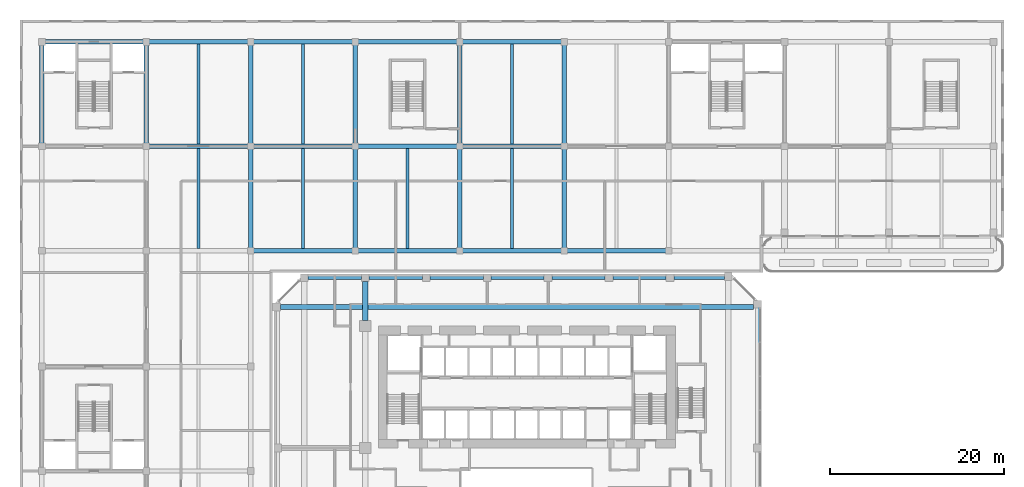
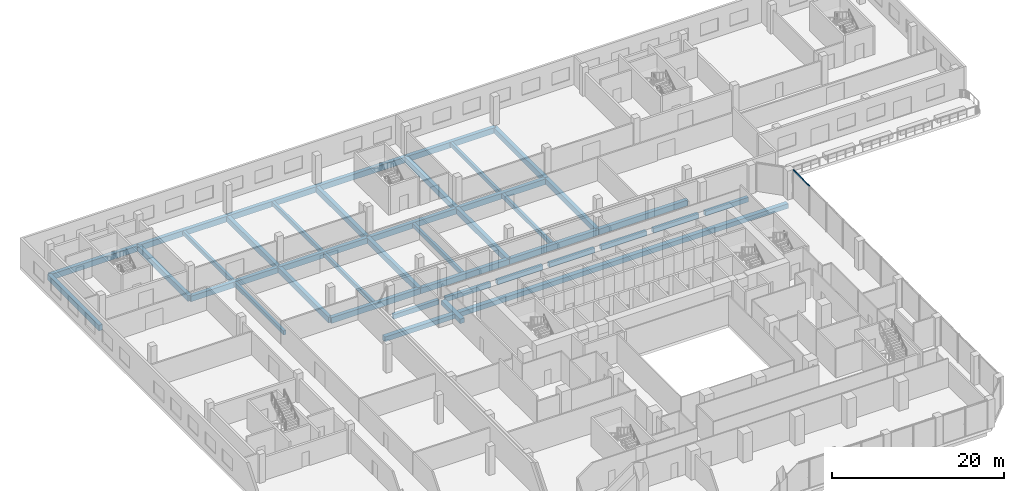
# One storey, part 9 of 35: 39 beams, 1 member, 1 element without a shape of its own.
"""IFC4 building model written with IfcOpenShell, lengths in metres."""

from ifc_helpers import new_model, si_unit, direction, frame, origin, origin_2d, place, context, subcontext, project, spatial, rectangle, extrude, source, transform, mapped, material, material_profile, profile_set, type_object, element, aggregate, save


model = new_model("IFC4")

# Units and contexts
model_context = context("Model", 3, precision=1e-05, world=origin(), true_north=direction((0.0, 1.0)))
body_context = subcontext(model_context, "Body", "Model", "MODEL_VIEW")
ifc_project = project(units=[si_unit("LENGTHUNIT", "METRE"), si_unit("AREAUNIT", "SQUARE_METRE"), si_unit("VOLUMEUNIT", "CUBIC_METRE"), si_unit("PLANEANGLEUNIT", "RADIAN"), si_unit("MASSUNIT", "GRAM", prefix="KILO")], contexts=[model_context])

# Site, building, storey
site_placement = place(None, origin())
site = spatial("IfcSite", under=ifc_project, at=site_placement, CompositionType="ELEMENT")
building_placement = place(site_placement, origin())
building = spatial("IfcBuilding", under=site, at=building_placement, Name="Kilnfold Tower and Market Hall", CompositionType="ELEMENT")
storey_placement = place(building_placement, frame((0.0, 0.0, 13.5)))
storey = spatial("IfcBuildingStorey", under=building, at=storey_placement, Name="L02", CompositionType="ELEMENT", Elevation=13.5)

# Beams
ifc_material_1 = material(Name="Concrete C40/50", Category="concrete")
ifc_material_profile_1 = material_profile(ifc_material_1, rectangle(XDim=0.5, YDim=0.800048828125, at=origin_2d()), Name="RC 500x800")
ifc_profile_set_1 = profile_set([ifc_material_profile_1], Name="Concrete C40/50")
beam_type_1 = type_object("IfcBeamType", Name="HALL GIRDER 500X800", PredefinedType="BEAM", material=ifc_profile_set_1)
for number, where, z_axis, x_axis, name in (
    (1, (-54.64990234375, 42.64990234375, -0.800048828125), (0.0, 1.0, 0.0), (-1.0, 0.0, 0.0), "Beam MG2.15"),
    (2, (-54.64990234375, 54.64990234375, -0.800048828125), (1.0, 0.0, 0.0), (0.0, 1.0, 0.0), "Beam MG2.17"),
    (3, (-42.64990234375, 42.64990234375, -0.800048828125), (0.0, 1.0, 0.0), (-1.0, 0.0, 0.0), "Beam MG2.30"),
    (4, (-42.64990234375, 42.64990234375, -0.800048828125), (1.0, 0.0, 0.0), (0.0, 1.0, 0.0), "Beam MG2.31"),
    (5, (-42.64990234375, 54.64990234375, -0.800048828125), (1.0, 0.0, 0.0), (0.0, 1.0, 0.0), "Beam MG2.32"),
    (6, (-30.64990234375, 30.64990234375, -0.800048828125), (0.0, 1.0, 0.0), (-1.0, 0.0, 0.0), "Beam MG2.39"),
    (7, (-30.64990234375, 30.64990234375, -0.800048828125), (1.0, 0.0, 0.0), (0.0, 1.0, 0.0), "Beam MG2.40"),
    (8, (-30.64990234375, 42.64990234375, -0.800048828125), (0.0, 1.0, 0.0), (-1.0, 0.0, 0.0), "Beam MG2.41"),
    (9, (-30.64990234375, 42.64990234375, -0.800048828125), (1.0, 0.0, 0.0), (0.0, 1.0, 0.0), "Beam MG2.42"),
    (10, (-30.64990234375, 54.64990234375, -0.800048828125), (1.0, 0.0, 0.0), (0.0, 1.0, 0.0), "Beam MG2.43"),
    (11, (-18.64990234375, 30.64990234375, -0.800048828125), (0.0, 1.0, 0.0), (-1.0, 0.0, 0.0), "Beam MG2.44"),
    (12, (-18.64990234375, 30.64990234375, -0.800048828125), (1.0, 0.0, 0.0), (0.0, 1.0, 0.0), "Beam MG2.45"),
    (13, (-18.64990234375, 42.64990234375, -0.800048828125), (0.0, 1.0, 0.0), (-1.0, 0.0, 0.0), "Beam MG2.46"),
    (14, (-18.64990234375, 42.64990234375, -0.800048828125), (1.0, 0.0, 0.0), (0.0, 1.0, 0.0), "Beam MG2.47"),
    (15, (-18.64990234375, 54.64990234375, -0.800048828125), (1.0, 0.0, 0.0), (0.0, 1.0, 0.0), "Beam MG2.48"),
    (16, (-6.64990234375, 30.64990234375, -0.800048828125), (0.0, 1.0, 0.0), (-1.0, 0.0, 0.0), "Beam MG2.49"),
    (17, (-6.64990234375, 30.64990234375, -0.800048828125), (1.0, 0.0, 0.0), (0.0, 1.0, 0.0), "Beam MG2.50"),
    (18, (-6.64990234375, 42.64990234375, -0.800048828125), (0.0, 1.0, 0.0), (-1.0, 0.0, 0.0), "Beam MG2.51"),
    (19, (-6.64990234375, 42.64990234375, -0.800048828125), (1.0, 0.0, 0.0), (0.0, 1.0, 0.0), "Beam MG2.52"),
    (20, (-6.64990234375, 54.64990234375, -0.800048828125), (1.0, 0.0, 0.0), (0.0, 1.0, 0.0), "Beam MG2.53"),
    (21, (5.35009765625, 30.64990234375, -0.800048828125), (0.0, 1.0, 0.0), (-1.0, 0.0, 0.0), "Beam MG2.54"),
    (22, (5.35009765625, 30.64990234375, -0.800048828125), (1.0, 0.0, 0.0), (0.0, 1.0, 0.0), "Beam MG2.55"),
    (23, (5.35009765625, 42.64990234375, -0.800048828125), (0.0, 1.0, 0.0), (-1.0, 0.0, 0.0), "Beam MG2.56"),
):
    element("IfcBeam", number, at=place(storey_placement, frame(where, z_axis=z_axis, x_axis=x_axis)), inside=storey, type_object=beam_type_1, Name=name, PredefinedType="BEAM", context=body_context, shape_type="SweptSolid", body=[
        extrude(rectangle(XDim=0.5, YDim=0.800048828125, at=origin_2d()), origin(), (0.0, 0.0, 1.0), 12.0),
    ])
ifc_material_2 = material(Name="Concrete C40/50", Category="concrete")
ifc_material_profile_2 = material_profile(ifc_material_2, rectangle(XDim=0.35009765625, YDim=0.60009765625, at=origin_2d()), Name="RC 350x600")
ifc_profile_set_2 = profile_set([ifc_material_profile_2], Name="Concrete C40/50")
beam_type_2 = type_object("IfcBeamType", Name="HALL JOIST 350X600", PredefinedType="BEAM", material=ifc_profile_set_2)
for number, where, z_axis, x_axis, name in (
    (24, (-36.64990234375, 30.89990234375, -0.699951171875), (0.0, 1.0, 0.0), (-1.0, 0.0, 0.0), "Beam MJ1.9"),
    (25, (-36.64990234375, 42.89990234375, -0.699951171875), (0.0, 1.0, 0.0), (-1.0, 0.0, 0.0), "Beam MJ1.10"),
    (26, (-24.64990234375, 30.89990234375, -0.699951171875), (0.0, 1.0, 0.0), (-1.0, 0.0, 0.0), "Beam MJ1.11"),
    (27, (-24.64990234375, 42.89990234375, -0.699951171875), (0.0, 1.0, 0.0), (-1.0, 0.0, 0.0), "Beam MJ1.12"),
    (28, (-12.64990234375, 30.89990234375, -0.699951171875), (0.0, 1.0, 0.0), (-1.0, 0.0, 0.0), "Beam MJ1.13"),
    (29, (-0.64990234375, 30.89990234375, -0.699951171875), (0.0, 1.0, 0.0), (-1.0, 0.0, 0.0), "Beam MJ1.14"),
    (30, (-0.64990234375, 42.89990234375, -0.699951171875), (0.0, 1.0, 0.0), (-1.0, 0.0, 0.0), "Beam MJ1.15"),
):
    element("IfcBeam", number, at=place(storey_placement, frame(where, z_axis=z_axis, x_axis=x_axis)), inside=storey, type_object=beam_type_2, Name=name, PredefinedType="BEAM", context=body_context, shape_type="SweptSolid", body=[
        extrude(rectangle(XDim=0.35009765625, YDim=0.60009765625, at=origin_2d()), origin(), (0.0, 0.0, 1.0), 11.5),
    ])
ifc_material_3 = material(Name="Concrete C45", Category="concrete")
ifc_material_profile_3 = material_profile(ifc_material_3, rectangle(XDim=0.449951171875, YDim=0.64990234375, at=origin_2d()), Name="RC 450x650")
ifc_profile_set_3 = profile_set([ifc_material_profile_3], Name="Concrete C45")
beam_type_3 = type_object("IfcBeamType", Name="EDGE BEAM 450X650 C45", PredefinedType="BEAM", material=ifc_profile_set_3)
shared_shape_1 = source(origin(), body_context, "Body", "SweptSolid", [
    extrude(rectangle(XDim=0.449951171875, YDim=0.64990234375, at=origin_2d()), origin(), (0.0, 0.0, 1.0), 6.10009765625),
])
for number, where, z_axis, x_axis, name in (
    (31, (-24.050048828125, 27.550048828125, -0.72509765625), (1.0, 0.0, 0.0), (0.0, 1.0, 0.0), "Beam EB650-B1.23"),
    (32, (-17.050048828125, 27.550048828125, -0.72509765625), (1.0, 0.0, 0.0), (0.0, 1.0, 0.0), "Beam EB650-B1.24"),
    (33, (-10.050048828125, 27.550048828125, -0.72509765625), (1.0, 0.0, 0.0), (0.0, 1.0, 0.0), "Beam EB650-B1.25"),
    (34, (-3.050048828125, 27.550048828125, -0.72509765625), (1.0, 0.0, 0.0), (0.0, 1.0, 0.0), "Beam EB650-B1.26"),
    (35, (3.949951171875, 27.550048828125, -0.72509765625), (1.0, 0.0, 0.0), (0.0, 1.0, 0.0), "Beam EB650-B1.27"),
    (36, (10.949951171875, 27.550048828125, -0.72509765625), (1.0, 0.0, 0.0), (0.0, 1.0, 0.0), "Beam EB650-B1.28"),
):
    element("IfcBeam", number, at=place(storey_placement, frame(where, z_axis=z_axis, x_axis=x_axis)), inside=storey, type_object=beam_type_3, Name=name, PredefinedType="BEAM", context=body_context, shape_type="MappedRepresentation", body=[
        mapped(shared_shape_1, transform((0.0, 0.0, 0.0))),
    ])
ifc_material_4 = material(Name="Concrete C45", Category="concrete")
ifc_material_profile_4 = material_profile(ifc_material_4, rectangle(XDim=0.60009765625, YDim=0.64990234375, at=origin_2d()), Name="RC 600x650")
ifc_profile_set_4 = profile_set([ifc_material_profile_4], Name="Concrete C45")
beam_type_4 = type_object("IfcBeamType", Name="BEAM 600X650 C45", PredefinedType="BEAM", material=ifc_profile_set_4)
shared_shape_2 = source(origin(), body_context, "Body", "SweptSolid", [
    extrude(rectangle(XDim=0.60009765625, YDim=0.64990234375, at=origin_2d()), origin(), (0.0, 0.0, 1.0), 54.331787109375),
])
beam_1_placement = place(storey_placement, frame((-27.231689453125, 24.179931640625, -0.72509765625), z_axis=(1.0, 0.0, 0.0), x_axis=(0.0, 1.0, 0.0)))
element("IfcBeam", 37, at=beam_1_placement, inside=storey, type_object=beam_type_4, Name="Beam BB650-B1.22", PredefinedType="BEAM", context=body_context, shape_type="MappedRepresentation", body=[
    mapped(shared_shape_2, transform((0.0, 0.0, 0.0))),
])
shared_shape_3 = source(origin(), body_context, "Body", "SweptSolid", [
    extrude(rectangle(XDim=0.449951171875, YDim=0.64990234375, at=origin_2d()), origin(), (0.0, 0.0, 1.0), 5.78173828125),
])
beam_2_placement = place(storey_placement, frame((17.949951171875, 27.550048828125, -0.72509765625), z_axis=(1.0, 0.0, 0.0), x_axis=(0.0, 1.0, 0.0)))
element("IfcBeam", 38, at=beam_2_placement, inside=storey, type_object=beam_type_3, Name="Beam EB650-B1.29", PredefinedType="BEAM", context=body_context, shape_type="MappedRepresentation", body=[
    mapped(shared_shape_3, transform((0.0, 0.0, 0.0))),
])
shared_shape_4 = source(origin(), body_context, "Body", "SweptSolid", [
    extrude(rectangle(XDim=0.60009765625, YDim=0.64990234375, at=origin_2d()), origin(), (0.0, 0.0, 1.0), 4.4501953125),
])
beam_3_placement = place(storey_placement, frame((-17.5, 22.64990234375, -0.72509765625), z_axis=(0.0, 1.0, 0.0), x_axis=(-1.0, 0.0, 0.0)))
element("IfcBeam", 39, at=beam_3_placement, inside=storey, type_object=beam_type_4, Name="Beam BB650-B1.39", PredefinedType="BEAM", context=body_context, shape_type="MappedRepresentation", body=[
    mapped(shared_shape_4, transform((0.0, 0.0, 0.0))),
])

# Curtain wall, member
ifc_material_5 = material(Name="Aluminium and double glazing", Category="aluminium")
curtain_wall_type = type_object("IfcCurtainWallType", Name="CW BASE PODIUM GLAZING", PredefinedType="NOTDEFINED", material=ifc_material_5)
curtain_wall_placement = place(storey_placement, origin())
curtain_wall = element("IfcCurtainWall", 40, at=curtain_wall_placement, inside=storey, type_object=curtain_wall_type, Name="Curtain wall CW4 L02 E", PredefinedType="NOTDEFINED")
ifc_material_6 = material(Name="Aluminium", Category="aluminium")
ifc_material_profile_5 = material_profile(ifc_material_6, rectangle(XDim=0.070068359375, YDim=0.159912109375, at=origin_2d()), Name="TRANSOM 70x160")
ifc_profile_set_5 = profile_set([ifc_material_profile_5], Name="Aluminium")
member_type = type_object("IfcMemberType", Name="TRANSOM 70X160", PredefinedType="USERDEFINED", material=ifc_profile_set_5)
shared_shape_5 = source(origin(), body_context, "Body", "SweptSolid", [
    extrude(rectangle(XDim=0.070068359375, YDim=0.159912109375, at=origin_2d()), origin(), (0.0, 0.0, 1.0), 3.760009765625),
])
member_placement = place(storey_placement, frame((27.85009765625, 20.219970703125, 4.06494140625), z_axis=(0.0, 1.0, 0.0), x_axis=(-1.0, 0.0, 0.0)))
member = element("IfcMember", 41, at=member_placement, type_object=member_type, Name="CW4 transom 1.2", ObjectType="TRANSOM", PredefinedType="USERDEFINED", context=body_context, shape_type="MappedRepresentation", body=[
    mapped(shared_shape_5, transform((0.0, 0.0, 0.0))),
])
aggregate(curtain_wall, [member])

save(model, "model.ifc")
